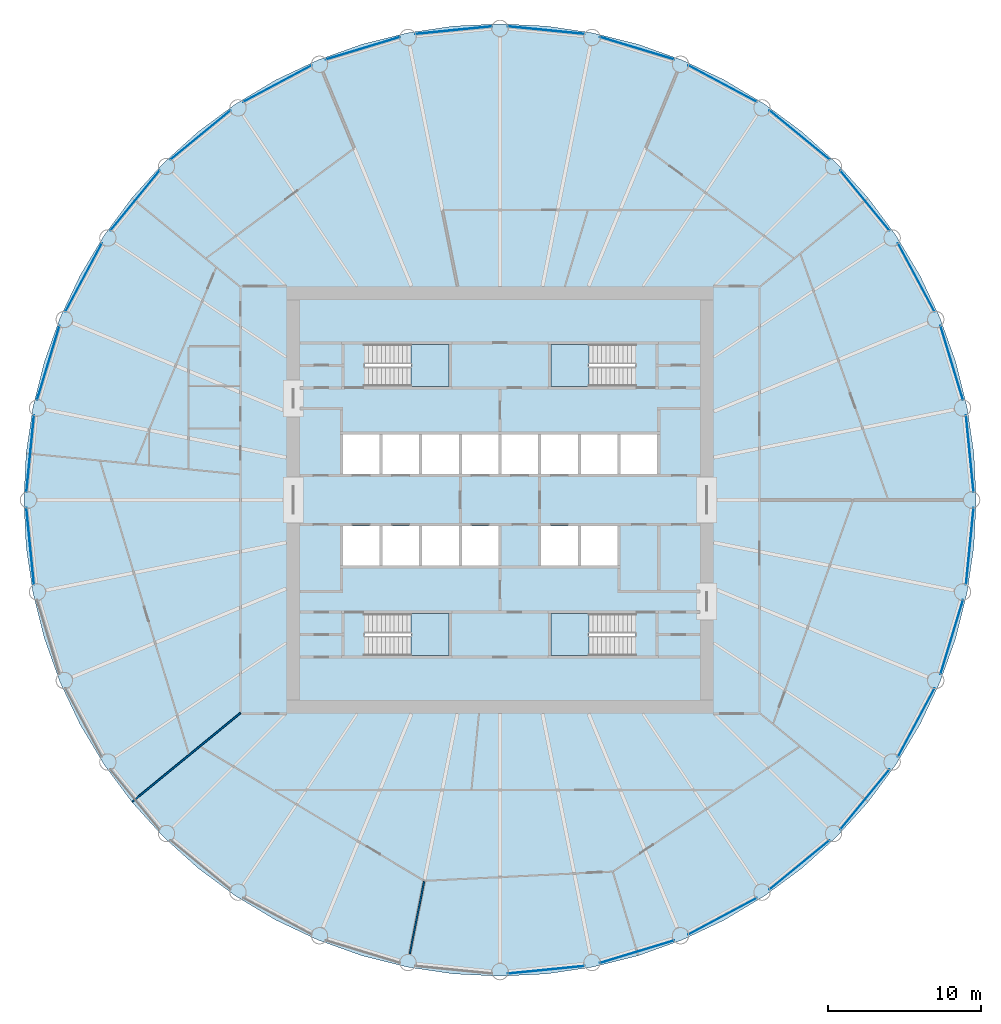
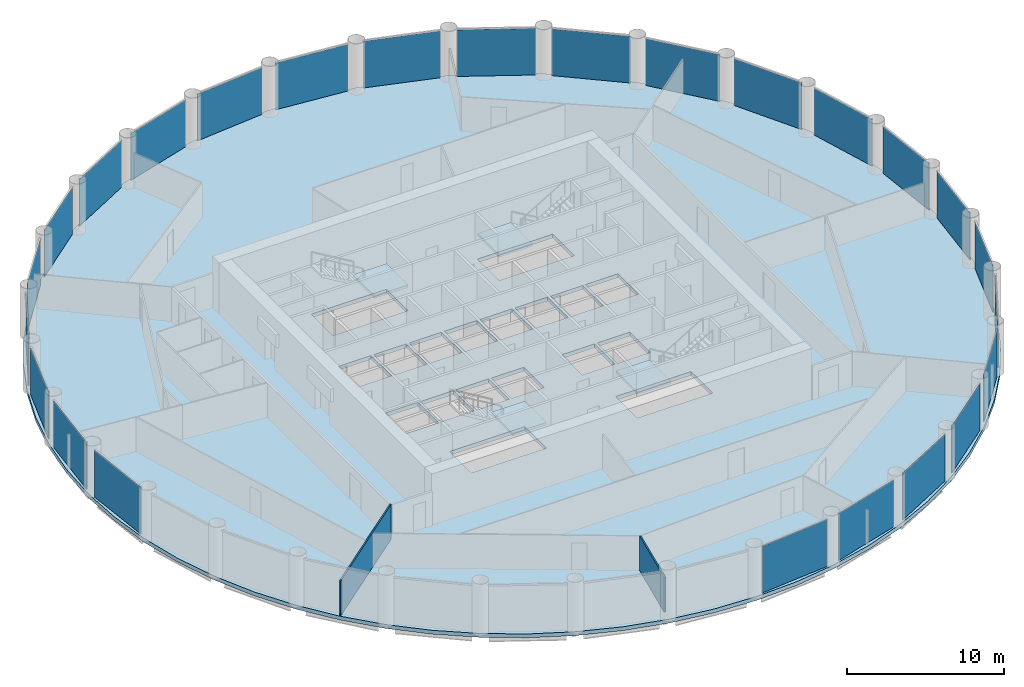
# One storey, part 3 of 9: 25 plates, 5 slabs, 2 walls, 29 elements without a shape of their own.
"""IFC4 building model written with IfcOpenShell, lengths in metres."""

from ifc_helpers import new_model, si_unit, direction, frame, frame_2d, origin, origin_2d, place, context, subcontext, project, spatial, polyline, rectangle, outline, extrude, material, layer, layer_set, type_object, element, aggregate, save


model = new_model("IFC4")

# Units and contexts
model_context = context("Model", 3, precision=1e-05, world=origin(), true_north=direction((0.0, 1.0)))
body_context = subcontext(model_context, "Body", "Model", "MODEL_VIEW")
ifc_project = project(units=[si_unit("LENGTHUNIT", "METRE"), si_unit("AREAUNIT", "SQUARE_METRE"), si_unit("VOLUMEUNIT", "CUBIC_METRE"), si_unit("PLANEANGLEUNIT", "RADIAN"), si_unit("MASSUNIT", "GRAM", prefix="KILO")], contexts=[model_context])

# Site, building, storey
site_placement = place(None, origin())
site = spatial("IfcSite", under=ifc_project, at=site_placement, CompositionType="ELEMENT")
building_placement = place(site_placement, origin())
building = spatial("IfcBuilding", under=site, at=building_placement, Name="Corvane Civic Tower", CompositionType="ELEMENT")
storey_placement = place(building_placement, frame((0.0, 0.0, 164.0)))
storey = spatial("IfcBuildingStorey", under=building, at=storey_placement, Name="L38", CompositionType="ELEMENT", Elevation=164.0)

# Slab
ifc_material_1 = material(Name="Concrete C40/50", Category="concrete")
ifc_layer_1 = layer(ifc_material_1, 0.300048828125)
ifc_layer_set_1 = layer_set([ifc_layer_1], Name="Concrete C40/50")
slab_type_1 = type_object("IfcSlabType", Name="FLOOR SLAB 300", PredefinedType="FLOOR", material=ifc_layer_set_1)
slab_1_placement = place(storey_placement, frame((0.0, 0.0, -0.300048828125)))
element("IfcSlab", 1, at=slab_1_placement, inside=storey, type_object=slab_type_1, Name="SLB-L38", PredefinedType="FLOOR", context=body_context, shape_type="SweptSolid", body=[
    extrude(outline(polyline([(0.0, 31.199951171875), (-3.05810546875, 31.0498046875), (-6.0869140625, 30.6005859375), (-9.056884765625, 29.8564453125), (-11.939697265625, 28.824951171875), (-14.70751953125, 27.515869140625), (-17.333740234375, 25.94189453125), (-19.79296875, 24.117919921875), (-22.061767578125, 22.061767578125), (-24.117919921875, 19.79296875), (-25.94189453125, 17.333740234375), (-27.515869140625, 14.70751953125), (-28.824951171875, 11.939697265625), (-29.8564453125, 9.056884765625), (-30.6005859375, 6.0869140625), (-31.0498046875, 3.05810546875), (-31.199951171875, 0.0), (-31.0498046875, -3.05810546875), (-30.6005859375, -6.0869140625), (-29.8564453125, -9.056884765625), (-28.824951171875, -11.939697265625), (-27.515869140625, -14.70751953125), (-25.94189453125, -17.333740234375), (-24.117919921875, -19.79296875), (-22.061767578125, -22.061767578125), (-19.79296875, -24.117919921875), (-17.333740234375, -25.94189453125), (-14.70751953125, -27.515869140625), (-11.939697265625, -28.824951171875), (-9.056884765625, -29.8564453125), (-6.0869140625, -30.6005859375), (-3.05810546875, -31.0498046875), (0.0, -31.199951171875), (3.05810546875, -31.0498046875), (6.0869140625, -30.6005859375), (9.056884765625, -29.8564453125), (11.939697265625, -28.824951171875), (14.70751953125, -27.515869140625), (17.333740234375, -25.94189453125), (19.79296875, -24.117919921875), (22.061767578125, -22.061767578125), (24.117919921875, -19.79296875), (25.94189453125, -17.333740234375), (27.515869140625, -14.70751953125), (28.824951171875, -11.939697265625), (29.8564453125, -9.056884765625), (30.6005859375, -6.0869140625), (31.0498046875, -3.05810546875), (31.199951171875, 0.0), (31.0498046875, 3.05810546875), (30.6005859375, 6.0869140625), (29.8564453125, 9.056884765625), (28.824951171875, 11.939697265625), (27.515869140625, 14.70751953125), (25.94189453125, 17.333740234375), (24.117919921875, 19.79296875), (22.061767578125, 22.061767578125), (19.79296875, 24.117919921875), (17.333740234375, 25.94189453125), (14.70751953125, 27.515869140625), (11.939697265625, 28.824951171875), (9.056884765625, 29.8564453125), (6.0869140625, 30.6005859375), (3.05810546875, 31.0498046875), (0.0, 31.199951171875)]), holes=[polyline([(-7.89990234375, 1.699951171875), (-10.300048828125, 1.699951171875), (-10.300048828125, 4.300048828125), (-7.89990234375, 4.300048828125), (-7.89990234375, 1.699951171875)]), polyline([(-5.300048828125, 1.699951171875), (-7.699951171875, 1.699951171875), (-7.699951171875, 4.300048828125), (-5.300048828125, 4.300048828125), (-5.300048828125, 1.699951171875)]), polyline([(-2.699951171875, 1.699951171875), (-5.10009765625, 1.699951171875), (-5.10009765625, 4.300048828125), (-2.699951171875, 4.300048828125), (-2.699951171875, 1.699951171875)]), polyline([(-2.5, 4.300048828125), (-0.10009765625, 4.300048828125), (-0.10009765625, 1.699951171875), (-2.5, 1.699951171875), (-2.5, 4.300048828125)]), polyline([(2.5, 1.699951171875), (0.10009765625, 1.699951171875), (0.10009765625, 4.300048828125), (2.5, 4.300048828125), (2.5, 1.699951171875)]), polyline([(5.10009765625, 1.699951171875), (2.699951171875, 1.699951171875), (2.699951171875, 4.300048828125), (5.10009765625, 4.300048828125), (5.10009765625, 1.699951171875)]), polyline([(5.300048828125, 4.300048828125), (7.699951171875, 4.300048828125), (7.699951171875, 1.699951171875), (5.300048828125, 1.699951171875), (5.300048828125, 4.300048828125)]), polyline([(7.89990234375, 4.300048828125), (10.300048828125, 4.300048828125), (10.300048828125, 1.699951171875), (7.89990234375, 1.699951171875), (7.89990234375, 4.300048828125)]), polyline([(-10.300048828125, -1.699951171875), (-7.89990234375, -1.699951171875), (-7.89990234375, -4.300048828125), (-10.300048828125, -4.300048828125), (-10.300048828125, -1.699951171875)]), polyline([(-7.699951171875, -1.699951171875), (-5.300048828125, -1.699951171875), (-5.300048828125, -4.300048828125), (-7.699951171875, -4.300048828125), (-7.699951171875, -1.699951171875)]), polyline([(-5.10009765625, -1.699951171875), (-2.699951171875, -1.699951171875), (-2.699951171875, -4.300048828125), (-5.10009765625, -4.300048828125), (-5.10009765625, -1.699951171875)]), polyline([(-2.5, -1.699951171875), (-0.10009765625, -1.699951171875), (-0.10009765625, -4.300048828125), (-2.5, -4.300048828125), (-2.5, -1.699951171875)]), polyline([(2.699951171875, -1.699951171875), (5.10009765625, -1.699951171875), (5.10009765625, -4.300048828125), (2.699951171875, -4.300048828125), (2.699951171875, -1.699951171875)]), polyline([(5.300048828125, -1.699951171875), (7.699951171875, -1.699951171875), (7.699951171875, -4.300048828125), (5.300048828125, -4.300048828125), (5.300048828125, -1.699951171875)]), polyline([(8.889892578125, 10.199951171875), (8.889892578125, 7.449951171875), (3.35009765625, 7.449951171875), (3.35009765625, 10.199951171875), (8.889892578125, 10.199951171875)]), polyline([(-8.889892578125, 7.449951171875), (-8.889892578125, 10.199951171875), (-3.35009765625, 10.199951171875), (-3.35009765625, 7.449951171875), (-8.889892578125, 7.449951171875)]), polyline([(8.889892578125, -7.449951171875), (8.889892578125, -10.199951171875), (3.35009765625, -10.199951171875), (3.35009765625, -7.449951171875), (8.889892578125, -7.449951171875)]), polyline([(-8.889892578125, -10.199951171875), (-8.889892578125, -7.449951171875), (-3.35009765625, -7.449951171875), (-3.35009765625, -10.199951171875), (-8.889892578125, -10.199951171875)])]), origin(), (0.0, 0.0, 1.0), 0.300048828125),
])

# Stair, slab
ifc_material_2 = material(Name="Concrete C40/50", Category="concrete")
stair_type = type_object("IfcStairType", Name="ST-STAIR-HALFTURN", PredefinedType="HALF_TURN_STAIR", material=ifc_material_2)
stair_1_placement = place(storey_placement, origin())
stair_1 = element("IfcStair", 2, at=stair_1_placement, inside=storey, type_object=stair_type, Name="L38 Exit stair ST1", PredefinedType="HALF_TURN_STAIR")
ifc_material_3 = material(Name="Concrete C40/50", Category="concrete")
ifc_layer_2 = layer(ifc_material_3, 0.199951171875)
ifc_layer_set_2 = layer_set([ifc_layer_2], Name="Concrete C40/50")
slab_type_2 = type_object("IfcSlabType", Name="ST-LANDING-RC", PredefinedType="LANDING", material=ifc_layer_set_2)
slab_2_placement = place(storey_placement, frame((0.0, 0.0, 1.800048828125)))
slab_2 = element("IfcSlab", 3, at=slab_2_placement, type_object=slab_type_2, Name="ST1 landing 1", PredefinedType="LANDING", context=body_context, shape_type="SweptSolid", body=[
    extrude(outline(polyline([(5.820068359375, 10.199951171875), (3.35009765625, 10.199951171875), (3.35009765625, 7.449951171875), (5.820068359375, 7.449951171875), (5.820068359375, 10.199951171875)])), origin(), (0.0, 0.0, 1.0), 0.199951171875),
])
aggregate(stair_1, [slab_2])

stair_2_placement = place(storey_placement, origin())
stair_2 = element("IfcStair", 4, at=stair_2_placement, inside=storey, type_object=stair_type, Name="L38 Exit stair ST2", PredefinedType="HALF_TURN_STAIR")
slab_3_placement = place(storey_placement, frame((0.0, 0.0, 1.800048828125)))
slab_3 = element("IfcSlab", 5, at=slab_3_placement, type_object=slab_type_2, Name="ST2 landing 1", PredefinedType="LANDING", context=body_context, shape_type="SweptSolid", body=[
    extrude(outline(polyline([(5.820068359375, -7.449951171875), (3.35009765625, -7.449951171875), (3.35009765625, -10.199951171875), (5.820068359375, -10.199951171875), (5.820068359375, -7.449951171875)])), origin(), (0.0, 0.0, 1.0), 0.199951171875),
])
aggregate(stair_2, [slab_3])

stair_3_placement = place(storey_placement, origin())
stair_3 = element("IfcStair", 6, at=stair_3_placement, inside=storey, type_object=stair_type, Name="L38 Exit stair ST3", PredefinedType="HALF_TURN_STAIR")
slab_4_placement = place(storey_placement, frame((0.0, 0.0, 1.800048828125)))
slab_4 = element("IfcSlab", 7, at=slab_4_placement, type_object=slab_type_2, Name="ST3 landing 1", PredefinedType="LANDING", context=body_context, shape_type="SweptSolid", body=[
    extrude(outline(polyline([(-5.820068359375, -10.199951171875), (-3.35009765625, -10.199951171875), (-3.35009765625, -7.449951171875), (-5.820068359375, -7.449951171875), (-5.820068359375, -10.199951171875)])), origin(), (0.0, 0.0, 1.0), 0.199951171875),
])
aggregate(stair_3, [slab_4])

stair_4_placement = place(storey_placement, origin())
stair_4 = element("IfcStair", 8, at=stair_4_placement, inside=storey, type_object=stair_type, Name="L38 Exit stair ST4", PredefinedType="HALF_TURN_STAIR")
slab_5_placement = place(storey_placement, frame((0.0, 0.0, 1.800048828125)))
slab_5 = element("IfcSlab", 9, at=slab_5_placement, type_object=slab_type_2, Name="ST4 landing 1", PredefinedType="LANDING", context=body_context, shape_type="SweptSolid", body=[
    extrude(outline(polyline([(-5.820068359375, 7.449951171875), (-3.35009765625, 7.449951171875), (-3.35009765625, 10.199951171875), (-5.820068359375, 10.199951171875), (-5.820068359375, 7.449951171875)])), origin(), (0.0, 0.0, 1.0), 0.199951171875),
])
aggregate(stair_4, [slab_5])

# Curtain wall, plate
ifc_material_4 = material(Name="Anodised aluminium bronze", Category="aluminium")
curtain_wall_type = type_object("IfcCurtainWallType", Name="TOWER CW-T2 STICK CURTAIN WALL", PredefinedType="NOTDEFINED", material=ifc_material_4)
curtain_wall_1_placement = place(storey_placement, origin())
curtain_wall_1 = element("IfcCurtainWall", 10, at=curtain_wall_1_placement, inside=storey, type_object=curtain_wall_type, Name="Curtain wall CW-T2 L38 bay 01", PredefinedType="NOTDEFINED")
ifc_material_5 = material(Name="Tinted glass", Category="glass")
ifc_layer_3 = layer(ifc_material_5, 0.031982421875)
ifc_layer_set_3 = layer_set([ifc_layer_3], Name="Tinted glass")
plate_type = type_object("IfcPlateType", Name="TOWER CW-T2 PANEL IGU32", PredefinedType="CURTAIN_PANEL", material=ifc_layer_set_3)
plate_1_placement = place(storey_placement, frame((3.03173828125, 30.781494140625, 0.0), z_axis=(0.0, 0.0, 1.0), x_axis=(0.995185244531, -0.098011882274, 0.0)))
plate_1 = element("IfcPlate", 11, at=plate_1_placement, type_object=plate_type, Name="Glass panel CW-T2 L38 01.1", PredefinedType="CURTAIN_PANEL", context=body_context, shape_type="SweptSolid", body=[
    extrude(rectangle(XDim=5.07763671875, YDim=0.031982421875, at=origin_2d()), origin(), (0.0, 0.0, 1.0), 3.6298828125),
])
aggregate(curtain_wall_1, [plate_1])

curtain_wall_2_placement = place(storey_placement, origin())
curtain_wall_2 = element("IfcCurtainWall", 12, at=curtain_wall_2_placement, inside=storey, type_object=curtain_wall_type, Name="Curtain wall CW-T2 L38 bay 02", PredefinedType="NOTDEFINED")
plate_2_placement = place(storey_placement, frame((8.978515625, 29.5986328125, 0.0), z_axis=(0.0, 0.0, 1.0), x_axis=(0.956931677007, -0.290313219714, 0.0)))
plate_2 = element("IfcPlate", 13, at=plate_2_placement, type_object=plate_type, Name="Glass panel CW-T2 L38 02.1", PredefinedType="CURTAIN_PANEL", context=body_context, shape_type="SweptSolid", body=[
    extrude(rectangle(XDim=5.077392578125, YDim=0.031982421875, at=origin_2d()), origin(), (0.0, 0.0, 1.0), 3.6298828125),
])
aggregate(curtain_wall_2, [plate_2])

curtain_wall_3_placement = place(storey_placement, origin())
curtain_wall_3 = element("IfcCurtainWall", 14, at=curtain_wall_3_placement, inside=storey, type_object=curtain_wall_type, Name="Curtain wall CW-T2 L38 bay 03", PredefinedType="NOTDEFINED")
plate_3_placement = place(storey_placement, frame((14.58056640625, 27.278076171875, 0.0), z_axis=(0.0, 0.0, 1.0), x_axis=(0.881922190434, -0.471395004238, 0.0)))
plate_3 = element("IfcPlate", 15, at=plate_3_placement, type_object=plate_type, Name="Glass panel CW-T2 L38 03.1", PredefinedType="CURTAIN_PANEL", context=body_context, shape_type="SweptSolid", body=[
    extrude(rectangle(XDim=5.077392578125, YDim=0.031982421875, at=origin_2d()), origin(), (0.0, 0.0, 1.0), 3.6298828125),
])
aggregate(curtain_wall_3, [plate_3])

curtain_wall_4_placement = place(storey_placement, origin())
curtain_wall_4 = element("IfcCurtainWall", 16, at=curtain_wall_4_placement, inside=storey, type_object=curtain_wall_type, Name="Curtain wall CW-T2 L38 bay 04", PredefinedType="NOTDEFINED")
plate_4_placement = place(storey_placement, frame((19.6220703125, 23.909423828125, 0.0), z_axis=(0.0, 0.0, 1.0), x_axis=(0.773004844196, -0.634400118891, 0.0)))
plate_4 = element("IfcPlate", 17, at=plate_4_placement, type_object=plate_type, Name="Glass panel CW-T2 L38 04.1", PredefinedType="CURTAIN_PANEL", context=body_context, shape_type="SweptSolid", body=[
    extrude(rectangle(XDim=5.0771484375, YDim=0.031982421875, at=origin_2d()), origin(), (0.0, 0.0, 1.0), 3.6298828125),
])
aggregate(curtain_wall_4, [plate_4])

curtain_wall_5_placement = place(storey_placement, origin())
curtain_wall_5 = element("IfcCurtainWall", 18, at=curtain_wall_5_placement, inside=storey, type_object=curtain_wall_type, Name="Curtain wall CW-T2 L38 bay 05", PredefinedType="NOTDEFINED")
plate_5_placement = place(storey_placement, frame((23.909423828125, 19.6220703125, 0.0), z_axis=(0.0, 0.0, 1.0), x_axis=(0.634400118891, -0.773004844196, 0.0)))
plate_5 = element("IfcPlate", 19, at=plate_5_placement, type_object=plate_type, Name="Glass panel CW-T2 L38 05.1", PredefinedType="CURTAIN_PANEL", context=body_context, shape_type="SweptSolid", body=[
    extrude(rectangle(XDim=5.0771484375, YDim=0.031982421875, at=origin_2d()), origin(), (0.0, 0.0, 1.0), 3.6298828125),
])
aggregate(curtain_wall_5, [plate_5])

curtain_wall_6_placement = place(storey_placement, origin())
curtain_wall_6 = element("IfcCurtainWall", 20, at=curtain_wall_6_placement, inside=storey, type_object=curtain_wall_type, Name="Curtain wall CW-T2 L38 bay 06", PredefinedType="NOTDEFINED")
plate_6_placement = place(storey_placement, frame((27.278076171875, 14.58056640625, 0.0), z_axis=(0.0, 0.0, 1.0), x_axis=(0.471395004238, -0.881922190434, 0.0)))
plate_6 = element("IfcPlate", 21, at=plate_6_placement, type_object=plate_type, Name="Glass panel CW-T2 L38 06.1", PredefinedType="CURTAIN_PANEL", context=body_context, shape_type="SweptSolid", body=[
    extrude(rectangle(XDim=5.077392578125, YDim=0.031982421875, at=origin_2d()), origin(), (0.0, 0.0, 1.0), 3.6298828125),
])
aggregate(curtain_wall_6, [plate_6])

curtain_wall_7_placement = place(storey_placement, origin())
curtain_wall_7 = element("IfcCurtainWall", 22, at=curtain_wall_7_placement, inside=storey, type_object=curtain_wall_type, Name="Curtain wall CW-T2 L38 bay 07", PredefinedType="NOTDEFINED")
plate_7_placement = place(storey_placement, frame((29.5986328125, 8.978515625, 0.0), z_axis=(0.0, 0.0, 1.0), x_axis=(0.290313219714, -0.956931677007, 0.0)))
plate_7 = element("IfcPlate", 23, at=plate_7_placement, type_object=plate_type, Name="Glass panel CW-T2 L38 07.1", PredefinedType="CURTAIN_PANEL", context=body_context, shape_type="SweptSolid", body=[
    extrude(rectangle(XDim=5.077392578125, YDim=0.031982421875, at=origin_2d()), origin(), (0.0, 0.0, 1.0), 3.6298828125),
])
aggregate(curtain_wall_7, [plate_7])

curtain_wall_8_placement = place(storey_placement, origin())
curtain_wall_8 = element("IfcCurtainWall", 24, at=curtain_wall_8_placement, inside=storey, type_object=curtain_wall_type, Name="Curtain wall CW-T2 L38 bay 08", PredefinedType="NOTDEFINED")
plate_8_placement = place(storey_placement, frame((30.781494140625, 3.03173828125, 0.0), z_axis=(0.0, 0.0, 1.0), x_axis=(0.098011882274, -0.995185244531, 0.0)))
plate_8 = element("IfcPlate", 25, at=plate_8_placement, type_object=plate_type, Name="Glass panel CW-T2 L38 08.1", PredefinedType="CURTAIN_PANEL", context=body_context, shape_type="SweptSolid", body=[
    extrude(rectangle(XDim=5.07763671875, YDim=0.031982421875, at=origin_2d()), origin(), (0.0, 0.0, 1.0), 3.6298828125),
])
aggregate(curtain_wall_8, [plate_8])

curtain_wall_9_placement = place(storey_placement, origin())
curtain_wall_9 = element("IfcCurtainWall", 26, at=curtain_wall_9_placement, inside=storey, type_object=curtain_wall_type, Name="Curtain wall CW-T2 L38 bay 09", PredefinedType="NOTDEFINED")
plate_9_placement = place(storey_placement, frame((30.781494140625, -3.03173828125, 0.0), z_axis=(0.0, 0.0, 1.0), x_axis=(-0.098011882274, -0.995185244531, 0.0)))
plate_9 = element("IfcPlate", 27, at=plate_9_placement, type_object=plate_type, Name="Glass panel CW-T2 L38 09.1", PredefinedType="CURTAIN_PANEL", context=body_context, shape_type="SweptSolid", body=[
    extrude(rectangle(XDim=5.07763671875, YDim=0.031982421875, at=origin_2d()), origin(), (0.0, 0.0, 1.0), 3.6298828125),
])
aggregate(curtain_wall_9, [plate_9])

curtain_wall_10_placement = place(storey_placement, origin())
curtain_wall_10 = element("IfcCurtainWall", 28, at=curtain_wall_10_placement, inside=storey, type_object=curtain_wall_type, Name="Curtain wall CW-T2 L38 bay 10", PredefinedType="NOTDEFINED")
plate_10_placement = place(storey_placement, frame((29.5986328125, -8.978515625, 0.0), z_axis=(0.0, 0.0, 1.0), x_axis=(-0.290313219714, -0.956931677007, 0.0)))
plate_10 = element("IfcPlate", 29, at=plate_10_placement, type_object=plate_type, Name="Glass panel CW-T2 L38 10.1", PredefinedType="CURTAIN_PANEL", context=body_context, shape_type="SweptSolid", body=[
    extrude(rectangle(XDim=5.077392578125, YDim=0.031982421875, at=origin_2d()), origin(), (0.0, 0.0, 1.0), 3.6298828125),
])
aggregate(curtain_wall_10, [plate_10])

curtain_wall_11_placement = place(storey_placement, origin())
curtain_wall_11 = element("IfcCurtainWall", 30, at=curtain_wall_11_placement, inside=storey, type_object=curtain_wall_type, Name="Curtain wall CW-T2 L38 bay 11", PredefinedType="NOTDEFINED")
plate_11_placement = place(storey_placement, frame((27.278076171875, -14.58056640625, 0.0), z_axis=(0.0, 0.0, 1.0), x_axis=(-0.471395004238, -0.881922190434, 0.0)))
plate_11 = element("IfcPlate", 31, at=plate_11_placement, type_object=plate_type, Name="Glass panel CW-T2 L38 11.1", PredefinedType="CURTAIN_PANEL", context=body_context, shape_type="SweptSolid", body=[
    extrude(rectangle(XDim=5.077392578125, YDim=0.031982421875, at=origin_2d()), origin(), (0.0, 0.0, 1.0), 3.6298828125),
])
aggregate(curtain_wall_11, [plate_11])

curtain_wall_12_placement = place(storey_placement, origin())
curtain_wall_12 = element("IfcCurtainWall", 32, at=curtain_wall_12_placement, inside=storey, type_object=curtain_wall_type, Name="Curtain wall CW-T2 L38 bay 12", PredefinedType="NOTDEFINED")
plate_12_placement = place(storey_placement, frame((23.909423828125, -19.6220703125, 0.0), z_axis=(0.0, 0.0, 1.0), x_axis=(-0.634400118891, -0.773004844196, 0.0)))
plate_12 = element("IfcPlate", 33, at=plate_12_placement, type_object=plate_type, Name="Glass panel CW-T2 L38 12.1", PredefinedType="CURTAIN_PANEL", context=body_context, shape_type="SweptSolid", body=[
    extrude(rectangle(XDim=5.0771484375, YDim=0.031982421875, at=origin_2d()), origin(), (0.0, 0.0, 1.0), 3.6298828125),
])
aggregate(curtain_wall_12, [plate_12])

curtain_wall_13_placement = place(storey_placement, origin())
curtain_wall_13 = element("IfcCurtainWall", 34, at=curtain_wall_13_placement, inside=storey, type_object=curtain_wall_type, Name="Curtain wall CW-T2 L38 bay 13", PredefinedType="NOTDEFINED")
plate_13_placement = place(storey_placement, frame((19.6220703125, -23.909423828125, 0.0), z_axis=(0.0, 0.0, 1.0), x_axis=(-0.773004844196, -0.634400118891, 0.0)))
plate_13 = element("IfcPlate", 35, at=plate_13_placement, type_object=plate_type, Name="Glass panel CW-T2 L38 13.1", PredefinedType="CURTAIN_PANEL", context=body_context, shape_type="SweptSolid", body=[
    extrude(rectangle(XDim=5.0771484375, YDim=0.031982421875, at=origin_2d()), origin(), (0.0, 0.0, 1.0), 3.6298828125),
])
aggregate(curtain_wall_13, [plate_13])

curtain_wall_14_placement = place(storey_placement, origin())
curtain_wall_14 = element("IfcCurtainWall", 36, at=curtain_wall_14_placement, inside=storey, type_object=curtain_wall_type, Name="Curtain wall CW-T2 L38 bay 14", PredefinedType="NOTDEFINED")
plate_14_placement = place(storey_placement, frame((14.58056640625, -27.278076171875, 0.0), z_axis=(0.0, 0.0, 1.0), x_axis=(-0.881922190434, -0.471395004238, 0.0)))
plate_14 = element("IfcPlate", 37, at=plate_14_placement, type_object=plate_type, Name="Glass panel CW-T2 L38 14.1", PredefinedType="CURTAIN_PANEL", context=body_context, shape_type="SweptSolid", body=[
    extrude(rectangle(XDim=5.077392578125, YDim=0.031982421875, at=origin_2d()), origin(), (0.0, 0.0, 1.0), 3.6298828125),
])
aggregate(curtain_wall_14, [plate_14])

curtain_wall_15_placement = place(storey_placement, origin())
curtain_wall_15 = element("IfcCurtainWall", 38, at=curtain_wall_15_placement, inside=storey, type_object=curtain_wall_type, Name="Curtain wall CW-T2 L38 bay 15", PredefinedType="NOTDEFINED")
plate_15_placement = place(storey_placement, frame((8.978515625, -29.5986328125, 0.0), z_axis=(0.0, 0.0, 1.0), x_axis=(-0.956931677007, -0.290313219714, 0.0)))
plate_15 = element("IfcPlate", 39, at=plate_15_placement, type_object=plate_type, Name="Glass panel CW-T2 L38 15.1", PredefinedType="CURTAIN_PANEL", context=body_context, shape_type="SweptSolid", body=[
    extrude(rectangle(XDim=5.077392578125, YDim=0.031982421875, at=origin_2d()), origin(), (0.0, 0.0, 1.0), 3.6298828125),
])
aggregate(curtain_wall_15, [plate_15])

curtain_wall_16_placement = place(storey_placement, origin())
curtain_wall_16 = element("IfcCurtainWall", 40, at=curtain_wall_16_placement, inside=storey, type_object=curtain_wall_type, Name="Curtain wall CW-T2 L38 bay 16", PredefinedType="NOTDEFINED")
plate_16_placement = place(storey_placement, frame((3.03173828125, -30.781494140625, 0.0), z_axis=(0.0, 0.0, 1.0), x_axis=(-0.995185244531, -0.098011882274, 0.0)))
plate_16 = element("IfcPlate", 41, at=plate_16_placement, type_object=plate_type, Name="Glass panel CW-T2 L38 16.1", PredefinedType="CURTAIN_PANEL", context=body_context, shape_type="SweptSolid", body=[
    extrude(rectangle(XDim=5.07763671875, YDim=0.031982421875, at=origin_2d()), origin(), (0.0, 0.0, 1.0), 3.6298828125),
])
aggregate(curtain_wall_16, [plate_16])

curtain_wall_17_placement = place(storey_placement, origin())
curtain_wall_17 = element("IfcCurtainWall", 42, at=curtain_wall_17_placement, inside=storey, type_object=curtain_wall_type, Name="Curtain wall CW-T2 L38 bay 24", PredefinedType="NOTDEFINED")
plate_17_placement = place(storey_placement, frame((-30.781494140625, -3.03173828125, 0.0), z_axis=(0.0, 0.0, 1.0), x_axis=(-0.098011882274, 0.995185244531, 0.0)))
plate_17 = element("IfcPlate", 43, at=plate_17_placement, type_object=plate_type, Name="Glass panel CW-T2 L38 24.1", PredefinedType="CURTAIN_PANEL", context=body_context, shape_type="SweptSolid", body=[
    extrude(rectangle(XDim=5.07763671875, YDim=0.031982421875, at=origin_2d()), origin(), (0.0, 0.0, 1.0), 3.6298828125),
])
aggregate(curtain_wall_17, [plate_17])

curtain_wall_18_placement = place(storey_placement, origin())
curtain_wall_18 = element("IfcCurtainWall", 44, at=curtain_wall_18_placement, inside=storey, type_object=curtain_wall_type, Name="Curtain wall CW-T2 L38 bay 25", PredefinedType="NOTDEFINED")
plate_18_placement = place(storey_placement, frame((-30.781494140625, 3.03173828125, 0.0), z_axis=(0.0, 0.0, 1.0), x_axis=(0.098011882274, 0.995185244531, 0.0)))
plate_18 = element("IfcPlate", 45, at=plate_18_placement, type_object=plate_type, Name="Glass panel CW-T2 L38 25.1", PredefinedType="CURTAIN_PANEL", context=body_context, shape_type="SweptSolid", body=[
    extrude(rectangle(XDim=5.07763671875, YDim=0.031982421875, at=origin_2d()), origin(), (0.0, 0.0, 1.0), 3.6298828125),
])
aggregate(curtain_wall_18, [plate_18])

curtain_wall_19_placement = place(storey_placement, origin())
curtain_wall_19 = element("IfcCurtainWall", 46, at=curtain_wall_19_placement, inside=storey, type_object=curtain_wall_type, Name="Curtain wall CW-T2 L38 bay 26", PredefinedType="NOTDEFINED")
plate_19_placement = place(storey_placement, frame((-29.5986328125, 8.978515625, 0.0), z_axis=(0.0, 0.0, 1.0), x_axis=(0.290313219714, 0.956931677007, 0.0)))
plate_19 = element("IfcPlate", 47, at=plate_19_placement, type_object=plate_type, Name="Glass panel CW-T2 L38 26.1", PredefinedType="CURTAIN_PANEL", context=body_context, shape_type="SweptSolid", body=[
    extrude(rectangle(XDim=5.077392578125, YDim=0.031982421875, at=origin_2d()), origin(), (0.0, 0.0, 1.0), 3.6298828125),
])
aggregate(curtain_wall_19, [plate_19])

curtain_wall_20_placement = place(storey_placement, origin())
curtain_wall_20 = element("IfcCurtainWall", 48, at=curtain_wall_20_placement, inside=storey, type_object=curtain_wall_type, Name="Curtain wall CW-T2 L38 bay 27", PredefinedType="NOTDEFINED")
plate_20_placement = place(storey_placement, frame((-27.278076171875, 14.58056640625, 0.0), z_axis=(0.0, 0.0, 1.0), x_axis=(0.471395004238, 0.881922190434, 0.0)))
plate_20 = element("IfcPlate", 49, at=plate_20_placement, type_object=plate_type, Name="Glass panel CW-T2 L38 27.1", PredefinedType="CURTAIN_PANEL", context=body_context, shape_type="SweptSolid", body=[
    extrude(rectangle(XDim=5.077392578125, YDim=0.031982421875, at=origin_2d()), origin(), (0.0, 0.0, 1.0), 3.6298828125),
])
aggregate(curtain_wall_20, [plate_20])

curtain_wall_21_placement = place(storey_placement, origin())
curtain_wall_21 = element("IfcCurtainWall", 50, at=curtain_wall_21_placement, inside=storey, type_object=curtain_wall_type, Name="Curtain wall CW-T2 L38 bay 28", PredefinedType="NOTDEFINED")
plate_21_placement = place(storey_placement, frame((-23.909423828125, 19.6220703125, 0.0), z_axis=(0.0, 0.0, 1.0), x_axis=(0.634400118891, 0.773004844196, 0.0)))
plate_21 = element("IfcPlate", 51, at=plate_21_placement, type_object=plate_type, Name="Glass panel CW-T2 L38 28.1", PredefinedType="CURTAIN_PANEL", context=body_context, shape_type="SweptSolid", body=[
    extrude(rectangle(XDim=5.0771484375, YDim=0.031982421875, at=origin_2d()), origin(), (0.0, 0.0, 1.0), 3.6298828125),
])
aggregate(curtain_wall_21, [plate_21])

curtain_wall_22_placement = place(storey_placement, origin())
curtain_wall_22 = element("IfcCurtainWall", 52, at=curtain_wall_22_placement, inside=storey, type_object=curtain_wall_type, Name="Curtain wall CW-T2 L38 bay 29", PredefinedType="NOTDEFINED")
plate_22_placement = place(storey_placement, frame((-19.6220703125, 23.909423828125, 0.0), z_axis=(0.0, 0.0, 1.0), x_axis=(0.773004844196, 0.634400118891, 0.0)))
plate_22 = element("IfcPlate", 53, at=plate_22_placement, type_object=plate_type, Name="Glass panel CW-T2 L38 29.1", PredefinedType="CURTAIN_PANEL", context=body_context, shape_type="SweptSolid", body=[
    extrude(rectangle(XDim=5.0771484375, YDim=0.031982421875, at=origin_2d()), origin(), (0.0, 0.0, 1.0), 3.6298828125),
])
aggregate(curtain_wall_22, [plate_22])

curtain_wall_23_placement = place(storey_placement, origin())
curtain_wall_23 = element("IfcCurtainWall", 54, at=curtain_wall_23_placement, inside=storey, type_object=curtain_wall_type, Name="Curtain wall CW-T2 L38 bay 30", PredefinedType="NOTDEFINED")
plate_23_placement = place(storey_placement, frame((-14.58056640625, 27.278076171875, 0.0), z_axis=(0.0, 0.0, 1.0), x_axis=(0.881922190434, 0.471395004238, 0.0)))
plate_23 = element("IfcPlate", 55, at=plate_23_placement, type_object=plate_type, Name="Glass panel CW-T2 L38 30.1", PredefinedType="CURTAIN_PANEL", context=body_context, shape_type="SweptSolid", body=[
    extrude(rectangle(XDim=5.077392578125, YDim=0.031982421875, at=origin_2d()), origin(), (0.0, 0.0, 1.0), 3.6298828125),
])
aggregate(curtain_wall_23, [plate_23])

curtain_wall_24_placement = place(storey_placement, origin())
curtain_wall_24 = element("IfcCurtainWall", 56, at=curtain_wall_24_placement, inside=storey, type_object=curtain_wall_type, Name="Curtain wall CW-T2 L38 bay 31", PredefinedType="NOTDEFINED")
plate_24_placement = place(storey_placement, frame((-8.978515625, 29.5986328125, 0.0), z_axis=(0.0, 0.0, 1.0), x_axis=(0.956931677007, 0.290313219714, 0.0)))
plate_24 = element("IfcPlate", 57, at=plate_24_placement, type_object=plate_type, Name="Glass panel CW-T2 L38 31.1", PredefinedType="CURTAIN_PANEL", context=body_context, shape_type="SweptSolid", body=[
    extrude(rectangle(XDim=5.077392578125, YDim=0.031982421875, at=origin_2d()), origin(), (0.0, 0.0, 1.0), 3.6298828125),
])
aggregate(curtain_wall_24, [plate_24])

curtain_wall_25_placement = place(storey_placement, origin())
curtain_wall_25 = element("IfcCurtainWall", 58, at=curtain_wall_25_placement, inside=storey, type_object=curtain_wall_type, Name="Curtain wall CW-T2 L38 bay 32", PredefinedType="NOTDEFINED")
plate_25_placement = place(storey_placement, frame((-3.03173828125, 30.781494140625, 0.0), z_axis=(0.0, 0.0, 1.0), x_axis=(0.995185244531, 0.098011882274, 0.0)))
plate_25 = element("IfcPlate", 59, at=plate_25_placement, type_object=plate_type, Name="Glass panel CW-T2 L38 32.1", PredefinedType="CURTAIN_PANEL", context=body_context, shape_type="SweptSolid", body=[
    extrude(rectangle(XDim=5.07763671875, YDim=0.031982421875, at=origin_2d()), origin(), (0.0, 0.0, 1.0), 3.6298828125),
])
aggregate(curtain_wall_25, [plate_25])

# Walls
ifc_material_6 = material(Name="Plasterboard")
ifc_layer_4 = layer(ifc_material_6, 0.10009765625)
ifc_layer_set_4 = layer_set([ifc_layer_4], Name="Plasterboard")
wall_type = type_object("IfcWallType", Name="Partition 100 plasterboard on studs", PredefinedType="PARTITIONING", material=ifc_layer_set_4)
wall_1_placement = place(storey_placement, frame((-5.9189453125, -29.7568359375, 0.0), z_axis=(0.0, 0.0, 1.0), x_axis=(0.195062476568, 0.980790818796, 0.0)))
element("IfcWall", 60, at=wall_1_placement, inside=storey, type_object=wall_type, Name="Partition L38.002", PredefinedType="PARTITIONING", context=body_context, shape_type="SweptSolid", body=[
    extrude(rectangle(XDim=4.857421875, YDim=0.10009765625, at=frame_2d((2.4287109375, 0.0))), origin(), (0.0, 0.0, 1.0), 2.699951171875),
])
wall_2_placement = place(storey_placement, frame((-24.079345703125, -19.761474609375, 0.0), z_axis=(0.0, 0.0, 1.0), x_axis=(0.773006154143, 0.634398522742, 0.0)))
element("IfcWall", 61, at=wall_2_placement, inside=storey, type_object=wall_type, Name="Partition L38.006", PredefinedType="PARTITIONING", context=body_context, shape_type="SweptSolid", body=[
    extrude(rectangle(XDim=9.134521484375, YDim=0.10009765625, at=frame_2d((4.5673828125, 0.0))), origin(), (0.0, 0.0, 1.0), 2.699951171875),
])

save(model, "model.ifc")
